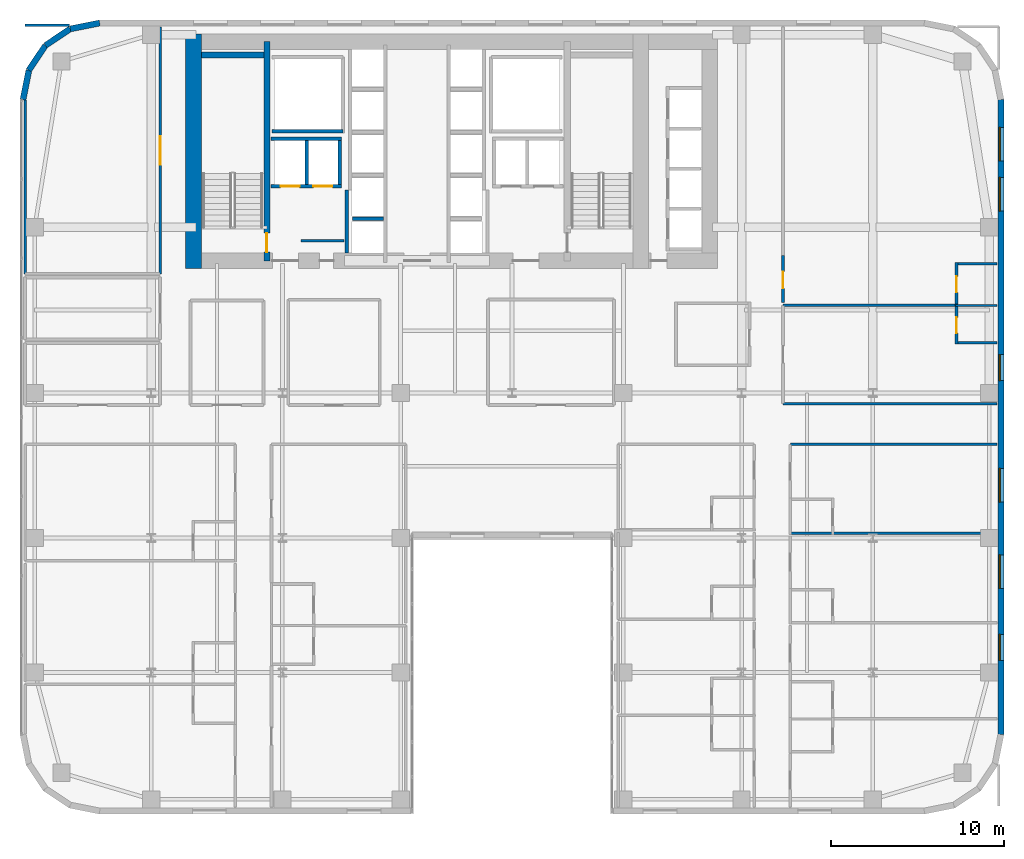
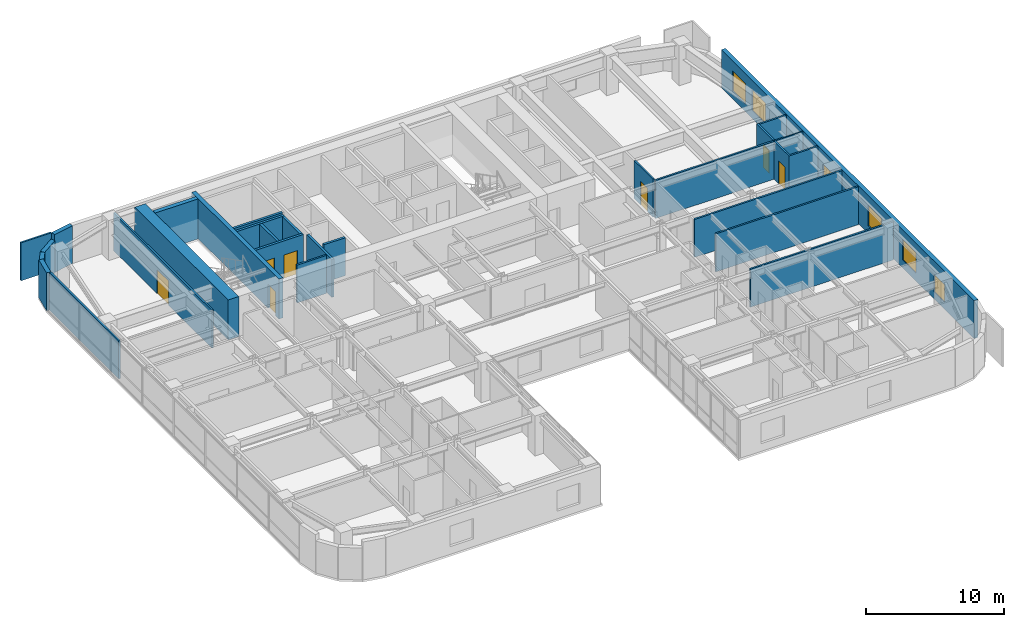
# One storey, part 27 of 30: 29 walls, 7 doors, 6 windows, 13 openings.
"""IFC4 building model written with IfcOpenShell, lengths in metres."""

from ifc_helpers import new_model, si_unit, direction, frame, frame_2d, origin, place, context, subcontext, project, spatial, rectangle, extrude, source, transform, mapped, material, layer, layer_set, type_object, type_shapes, element, fill, save


model = new_model("IFC4")

# Units and contexts
model_context = context("Model", 3, precision=1e-05, world=origin(), true_north=direction((0.0, 1.0)))
body_context = subcontext(model_context, "Body", "Model", "MODEL_VIEW")
ifc_project = project(units=[si_unit("LENGTHUNIT", "METRE"), si_unit("AREAUNIT", "SQUARE_METRE"), si_unit("VOLUMEUNIT", "CUBIC_METRE"), si_unit("PLANEANGLEUNIT", "RADIAN"), si_unit("MASSUNIT", "GRAM", prefix="KILO")], contexts=[model_context])

# Site, building, storey
site_placement = place(None, origin())
site = spatial("IfcSite", under=ifc_project, at=site_placement, CompositionType="ELEMENT")
building_placement = place(site_placement, origin())
building = spatial("IfcBuilding", under=site, at=building_placement, Name="Tolvann Quenvar Hotel", CompositionType="ELEMENT")
storey_placement = place(building_placement, frame((0.0, 0.0, 56.85009765625)))
storey = spatial("IfcBuildingStorey", under=building, at=storey_placement, Name="L13", CompositionType="ELEMENT", Elevation=56.85009765625)

# Wall
ifc_material_1 = material(Name="Concrete S80 (80 MPa)", Category="concrete")
ifc_layer_1 = layer(ifc_material_1, 0.89990234375)
ifc_layer_set_1 = layer_set([ifc_layer_1], Name="Concrete S80 (80 MPa)")
wall_type_1 = type_object("IfcWallType", Name="WALL_CORE_900", PredefinedType="SHEAR", material=ifc_layer_set_1)
wall_1_placement = place(storey_placement, frame((10.050048828125, 31.60009765625, 0.0), z_axis=(0.0, 0.0, 1.0), x_axis=(0.0, 1.0, 0.0)))
element("IfcWall", 1, at=wall_1_placement, inside=storey, type_object=wall_type_1, Name="Rear Core W Shear Wall (L13)", PredefinedType="SHEAR", context=body_context, shape_type="SweptSolid", body=[
    extrude(rectangle(XDim=13.599853515625, YDim=0.89990234375, at=frame_2d((6.7998046875, 0.0))), origin(), (0.0, 0.0, 1.0), 3.5498046875),
])

# Wall, opening, door
ifc_material_2 = material(Name="Concrete S65 (65 MPa)", Category="concrete")
ifc_layer_2 = layer(ifc_material_2, 0.35009765625)
ifc_layer_set_2 = layer_set([ifc_layer_2], Name="Concrete S65 (65 MPa)")
wall_type_2 = type_object("IfcWallType", Name="WALL_CORE_INT_350", PredefinedType="SHEAR", material=ifc_layer_set_2)
wall_2_placement = place(storey_placement, frame((14.300048828125, 32.050048828125, 0.0), z_axis=(0.0, 0.0, 1.0), x_axis=(0.0, 1.0, 0.0)))
wall_2 = element("IfcWall", 2, at=wall_2_placement, inside=storey, type_object=wall_type_2, Name="Core Internal Web Shear Wall WEB-W (L13)", PredefinedType="SHEAR", context=body_context, shape_type="SweptSolid", body=[
    extrude(rectangle(XDim=12.699951171875, YDim=0.35009765625, at=frame_2d((6.35009765625, 0.0))), origin(), (0.0, 0.0, 1.0), 3.5498046875),
])
opening_1_placement = place(wall_2_placement, frame((0.5, 0.0, 0.0)))
opening_1 = element("IfcOpeningElement", 3, at=opening_1_placement, cuts=wall_2, Name="Opening FD-120", PredefinedType="OPENING", context=body_context, shape_type="SweptSolid", body=[
    extrude(rectangle(XDim=1.10009765625, YDim=2.1201171875, at=frame_2d((0.550048828125, 1.06005859375))), frame((0.0, 0.18505859375, 0.0), z_axis=(0.0, -1.0, 0.0), x_axis=(1.0, 0.0, 0.0)), (0.0, 0.0, 1.0), 0.3701171875),
])
ifc_material_3 = material(Name="Pressed galvanised steel fire-rated door set", Category="steel")
door_type_1 = type_object("IfcDoorType", Name="DOOR_FIRE_STAIR_1100", OperationType="NOTDEFINED", PredefinedType="DOOR", material=ifc_material_3)
shared_shape_1 = source(origin(), body_context, "Body", "SweptSolid", [
    extrude(rectangle(XDim=1.10009765625, YDim=2.1201171875, at=frame_2d((0.550048828125, 1.06005859375))), frame((0.0, 0.02490234375, 0.0), z_axis=(0.0, -1.0, 0.0), x_axis=(1.0, 0.0, 0.0)), (0.0, 0.0, 1.0), 0.050048828125),
])
type_shapes(door_type_1, [shared_shape_1])
door_1_placement = place(opening_1_placement, origin())
door_1 = element("IfcDoor", 4, at=door_1_placement, inside=storey, type_object=door_type_1, Name="Exit Stair ST-C1 Fire Door (L13)", OperationType="SINGLE_SWING_LEFT", OverallHeight=2.1201171875, OverallWidth=1.10009765625, PredefinedType="DOOR", context=body_context, shape_type="MappedRepresentation", body=[
    mapped(shared_shape_1, transform((0.0, 0.0, 0.0), x_axis=(1.0, 0.0, 0.0), y_axis=(0.0, 1.0, 0.0), z_axis=(0.0, 0.0, 1.0), scale=1.0)),
])
fill(opening_1, door_1)

# Wall
wall_3_placement = place(storey_placement, frame((10.52001953125, 43.97509765625, 0.0), z_axis=(0.0, 0.0, 1.0), x_axis=(1.0, 0.0, 0.0)))
element("IfcWall", 5, at=wall_3_placement, inside=storey, type_object=wall_type_2, Name="Core Stair North Closing Shear Wall STC1-N (L13)", PredefinedType="SHEAR", context=body_context, shape_type="SweptSolid", body=[
    extrude(rectangle(XDim=3.60009765625, YDim=0.35009765625, at=frame_2d((1.800048828125, 0.0))), origin(), (0.0, 0.0, 1.0), 3.5498046875),
])

# Wall, openings, windows
ifc_material_4 = material(Name="Kiln-fired red and buff architectural clay brickwork and terracotta masonry", Category="masonry")
ifc_layer_3 = layer(ifc_material_4, 0.35009765625)
ifc_layer_set_3 = layer_set([ifc_layer_3], Name="Kiln-fired red and buff architectural clay brickwork and terracotta masonry")
wall_type_3 = type_object("IfcWallType", Name="WALL_EXT_BRICK_350", PredefinedType="SOLIDWALL", material=ifc_layer_set_3)
wall_4_placement = place(storey_placement, frame((56.824951171875, 4.6171875, 0.0), z_axis=(0.0, 0.0, 1.0), x_axis=(0.0, 1.0, 0.0)))
wall_4 = element("IfcWall", 6, at=wall_4_placement, inside=storey, type_object=wall_type_3, Name="Exterior Chicago Brick Wall L13-E13", PredefinedType="SOLIDWALL", context=body_context, shape_type="SweptSolid", body=[
    extrude(rectangle(XDim=36.765625, YDim=0.35009765625, at=frame_2d((18.3828125, 0.0))), origin(), (0.0, 0.0, 1.0), 3.369873046875),
])
opening_2_placement = place(wall_4_placement, frame((8.4541015625, 0.0, 0.679931640625)))
opening_2 = element("IfcOpeningElement", 7, at=opening_2_placement, cuts=wall_4, Name="Opening W-10", PredefinedType="OPENING", context=body_context, shape_type="SweptSolid", body=[
    extrude(rectangle(XDim=1.949951171875, YDim=1.820068359375, at=frame_2d((0.97509765625, 0.91015625))), frame((0.0, 0.18505859375, 0.0), z_axis=(0.0, -1.0, 0.0), x_axis=(1.0, 0.0, 0.0)), (0.0, 0.0, 1.0), 0.3701171875),
])
opening_3_placement = place(wall_4_placement, frame((13.4560546875, 0.0, 0.679931640625)))
opening_3 = element("IfcOpeningElement", 8, at=opening_3_placement, cuts=wall_4, Name="Opening W-10", PredefinedType="OPENING", context=body_context, shape_type="SweptSolid", body=[
    extrude(rectangle(XDim=1.949951171875, YDim=1.820068359375, at=frame_2d((0.97509765625, 0.91015625))), frame((0.0, 0.18505859375, 0.0), z_axis=(0.0, -1.0, 0.0), x_axis=(1.0, 0.0, 0.0)), (0.0, 0.0, 1.0), 0.3701171875),
])
opening_4_placement = place(wall_4_placement, frame((30.31298828125, 0.0, 0.679931640625)))
opening_4 = element("IfcOpeningElement", 9, at=opening_4_placement, cuts=wall_4, Name="Opening W-10", PredefinedType="OPENING", context=body_context, shape_type="SweptSolid", body=[
    extrude(rectangle(XDim=1.949951171875, YDim=1.820068359375, at=frame_2d((0.97509765625, 0.91015625))), frame((0.0, 0.18505859375, 0.0), z_axis=(0.0, -1.0, 0.0), x_axis=(1.0, 0.0, 0.0)), (0.0, 0.0, 1.0), 0.3701171875),
])
opening_5_placement = place(wall_4_placement, frame((33.215087890625, 0.0, 0.679931640625)))
opening_5 = element("IfcOpeningElement", 10, at=opening_5_placement, cuts=wall_4, Name="Opening W-10", PredefinedType="OPENING", context=body_context, shape_type="SweptSolid", body=[
    extrude(rectangle(XDim=1.949951171875, YDim=1.820068359375, at=frame_2d((0.97509765625, 0.91015625))), frame((0.0, 0.18505859375, 0.0), z_axis=(0.0, -1.0, 0.0), x_axis=(1.0, 0.0, 0.0)), (0.0, 0.0, 1.0), 0.3701171875),
])
opening_6_placement = place(wall_4_placement, frame((4.29296875, 0.0, 0.6201171875)))
opening_6 = element("IfcOpeningElement", 11, at=opening_6_placement, cuts=wall_4, Name="Opening W-08", PredefinedType="OPENING", context=body_context, shape_type="SweptSolid", body=[
    extrude(rectangle(XDim=1.5, YDim=1.550048828125, at=frame_2d((0.75, 0.77490234375))), frame((0.0, 0.18505859375, 0.0), z_axis=(0.0, -1.0, 0.0), x_axis=(1.0, 0.0, 0.0)), (0.0, 0.0, 1.0), 0.3701171875),
])
opening_7_placement = place(wall_4_placement, frame((20.492919921875, 0.0, 0.6201171875)))
opening_7 = element("IfcOpeningElement", 12, at=opening_7_placement, cuts=wall_4, Name="Opening W-08", PredefinedType="OPENING", context=body_context, shape_type="SweptSolid", body=[
    extrude(rectangle(XDim=1.5, YDim=1.550048828125, at=frame_2d((0.75, 0.77490234375))), frame((0.0, 0.18505859375, 0.0), z_axis=(0.0, -1.0, 0.0), x_axis=(1.0, 0.0, 0.0)), (0.0, 0.0, 1.0), 0.3701171875),
])
ifc_material_5 = material(Name="Thermally broken bronze-anodised aluminium frame with double low-E glazing", Category="aluminium")
window_type_1 = type_object("IfcWindowType", Name="WIN_COR_1500x2050", PartitioningType="SINGLE_PANEL", PredefinedType="WINDOW", material=ifc_material_5)
shared_shape_2 = source(origin(), body_context, "Body", "SweptSolid", [
    extrude(rectangle(XDim=1.5, YDim=1.550048828125, at=frame_2d((0.75, 0.77490234375))), frame((0.0, 0.090087890625, 0.0), z_axis=(0.0, -1.0, 0.0), x_axis=(1.0, 0.0, 0.0)), (0.0, 0.0, 1.0), 0.06005859375),
])
type_shapes(window_type_1, [shared_shape_2])
window_1_placement = place(opening_6_placement, origin())
window_1 = element("IfcWindow", 13, at=window_1_placement, inside=storey, type_object=window_type_1, Name="Chicago Window W-08 (EW-L13-E13-WD05)", OverallHeight=1.550048828125, OverallWidth=1.5, PartitioningType="SINGLE_PANEL", PredefinedType="WINDOW", context=body_context, shape_type="MappedRepresentation", body=[
    mapped(shared_shape_2, transform((0.0, 0.0, 0.0), x_axis=(1.0, 0.0, 0.0), y_axis=(0.0, 1.0, 0.0), z_axis=(0.0, 0.0, 1.0), scale=1.0)),
])
fill(opening_6, window_1)
window_2_placement = place(opening_7_placement, origin())
window_2 = element("IfcWindow", 14, at=window_2_placement, inside=storey, type_object=window_type_1, Name="Chicago Window W-08 (EW-L13-E13-WD06)", OverallHeight=1.550048828125, OverallWidth=1.5, PartitioningType="SINGLE_PANEL", PredefinedType="WINDOW", context=body_context, shape_type="MappedRepresentation", body=[
    mapped(shared_shape_2, transform((0.0, 0.0, 0.0), x_axis=(1.0, 0.0, 0.0), y_axis=(0.0, 1.0, 0.0), z_axis=(0.0, 0.0, 1.0), scale=1.0)),
])
fill(opening_7, window_2)
window_type_2 = type_object("IfcWindowType", Name="WIN_CLB_1950x1850", PartitioningType="DOUBLE_PANEL_VERTICAL", PredefinedType="WINDOW", material=ifc_material_5)
shared_shape_3 = source(origin(), body_context, "Body", "SweptSolid", [
    extrude(rectangle(XDim=1.949951171875, YDim=1.820068359375, at=frame_2d((0.97509765625, 0.91015625))), frame((0.0, 0.090087890625, 0.0), z_axis=(0.0, -1.0, 0.0), x_axis=(1.0, 0.0, 0.0)), (0.0, 0.0, 1.0), 0.06005859375),
])
type_shapes(window_type_2, [shared_shape_3])
window_3_placement = place(opening_2_placement, origin())
window_3 = element("IfcWindow", 15, at=window_3_placement, inside=storey, type_object=window_type_2, Name="Chicago Window W-10 (EW-L13-E13-W01)", OverallHeight=1.820068359375, OverallWidth=1.949951171875, PartitioningType="DOUBLE_PANEL_VERTICAL", PredefinedType="WINDOW", context=body_context, shape_type="MappedRepresentation", body=[
    mapped(shared_shape_3, transform((0.0, 0.0, 0.0), x_axis=(1.0, 0.0, 0.0), y_axis=(0.0, 1.0, 0.0), z_axis=(0.0, 0.0, 1.0), scale=1.0)),
])
fill(opening_2, window_3)
window_4_placement = place(opening_3_placement, origin())
window_4 = element("IfcWindow", 16, at=window_4_placement, inside=storey, type_object=window_type_2, Name="Chicago Window W-10 (EW-L13-E13-W02)", OverallHeight=1.820068359375, OverallWidth=1.949951171875, PartitioningType="DOUBLE_PANEL_VERTICAL", PredefinedType="WINDOW", context=body_context, shape_type="MappedRepresentation", body=[
    mapped(shared_shape_3, transform((0.0, 0.0, 0.0), x_axis=(1.0, 0.0, 0.0), y_axis=(0.0, 1.0, 0.0), z_axis=(0.0, 0.0, 1.0), scale=1.0)),
])
fill(opening_3, window_4)
window_5_placement = place(opening_4_placement, origin())
window_5 = element("IfcWindow", 17, at=window_5_placement, inside=storey, type_object=window_type_2, Name="Chicago Window W-10 (EW-L13-E13-W03)", OverallHeight=1.820068359375, OverallWidth=1.949951171875, PartitioningType="DOUBLE_PANEL_VERTICAL", PredefinedType="WINDOW", context=body_context, shape_type="MappedRepresentation", body=[
    mapped(shared_shape_3, transform((0.0, 0.0, 0.0), x_axis=(1.0, 0.0, 0.0), y_axis=(0.0, 1.0, 0.0), z_axis=(0.0, 0.0, 1.0), scale=1.0)),
])
fill(opening_4, window_5)
window_6_placement = place(opening_5_placement, origin())
window_6 = element("IfcWindow", 18, at=window_6_placement, inside=storey, type_object=window_type_2, Name="Chicago Window W-10 (EW-L13-E13-W04)", OverallHeight=1.820068359375, OverallWidth=1.949951171875, PartitioningType="DOUBLE_PANEL_VERTICAL", PredefinedType="WINDOW", context=body_context, shape_type="MappedRepresentation", body=[
    mapped(shared_shape_3, transform((0.0, 0.0, 0.0), x_axis=(1.0, 0.0, 0.0), y_axis=(0.0, 1.0, 0.0), z_axis=(0.0, 0.0, 1.0), scale=1.0)),
])
fill(opening_5, window_6)

# Walls
wall_5_placement = place(storey_placement, frame((4.6171875, 45.824951171875, 0.0), z_axis=(0.0, 0.0, 1.0), x_axis=(-0.980800971659, -0.195011420161, 0.0)))
element("IfcWall", 19, at=wall_5_placement, inside=storey, type_object=wall_type_3, Name="Exterior Chicago Brick Wall L13-E19", PredefinedType="SOLIDWALL", context=body_context, shape_type="SweptSolid", body=[
    extrude(rectangle(XDim=1.74267578125, YDim=0.35009765625, at=frame_2d((0.871337890625, 0.0))), origin(), (0.0, 0.0, 1.0), 3.369873046875),
])
for number, where, z_axis, x_axis, name in (
    (20, (2.907958984375, 45.485107421875, 0.0), (0.0, 0.0, 1.0), (-0.831483840845, -0.55554893791, 0.0), "Exterior Chicago Brick Wall L13-E20"),
    (21, (1.473388671875, 44.526611328125, 0.0), (0.0, 0.0, 1.0), (-0.55554893791, -0.831483840845, 0.0), "Exterior Chicago Brick Wall L13-E21"),
):
    element("IfcWall", number, at=place(storey_placement, frame(where, z_axis=z_axis, x_axis=x_axis)), inside=storey, type_object=wall_type_3, Name=name, PredefinedType="SOLIDWALL", context=body_context, shape_type="SweptSolid", body=[
        extrude(rectangle(XDim=1.725341796875, YDim=0.35009765625, at=frame_2d((0.86279296875, 0.0))), origin(), (0.0, 0.0, 1.0), 2.831787109375),
    ])
wall_6_placement = place(storey_placement, frame((0.514892578125, 43.092041015625, 0.0), z_axis=(0.0, 0.0, 1.0), x_axis=(-0.195011420161, -0.980800971659, 0.0)))
element("IfcWall", 22, at=wall_6_placement, inside=storey, type_object=wall_type_3, Name="Exterior Chicago Brick Wall L13-E22", PredefinedType="SOLIDWALL", context=body_context, shape_type="SweptSolid", body=[
    extrude(rectangle(XDim=1.74267578125, YDim=0.35009765625, at=frame_2d((0.871337890625, 0.0))), origin(), (0.0, 0.0, 1.0), 3.369873046875),
])
ifc_material_6 = material(Name="Moisture-resistant acoustic plumbing wall assembly")
ifc_layer_4 = layer(ifc_material_6, 0.1201171875)
ifc_layer_set_4 = layer_set([ifc_layer_4], Name="Moisture-resistant acoustic plumbing wall assembly")
wall_type_4 = type_object("IfcWallType", Name="WALL_PART_BATH_120", PredefinedType="PLUMBINGWALL", material=ifc_layer_set_4)
wall_7_placement = place(storey_placement, frame((54.179931640625, 29.469970703125, 0.0), z_axis=(0.0, 0.0, 1.0), x_axis=(1.0, 0.0, 0.0)))
element("IfcWall", 23, at=wall_7_placement, inside=storey, type_object=wall_type_4, Name="Non-Rated Plumbing Partition PT-SPC-L13-ENS-NE01-N", PredefinedType="PLUMBINGWALL", context=body_context, shape_type="SweptSolid", body=[
    extrude(rectangle(XDim=2.4150390625, YDim=0.1201171875, at=frame_2d((1.20751953125, 0.0))), origin(), (0.0, 0.0, 1.0), 3.369873046875),
])
ifc_material_7 = material(Name="Acoustic twin-stud fire-rated gypsum plasterboard partition")
ifc_layer_5 = layer(ifc_material_7, 0.14990234375)
ifc_layer_set_5 = layer_set([ifc_layer_5], Name="Acoustic twin-stud fire-rated gypsum plasterboard partition")
wall_type_5 = type_object("IfcWallType", Name="WALL_PART_SUITE_150", PredefinedType="PARTITIONING", material=ifc_layer_set_5)
wall_8_placement = place(storey_placement, frame((44.550048828125, 16.280029296875, 0.0), z_axis=(0.0, 0.0, 1.0), x_axis=(1.0, 0.0, 0.0)))
element("IfcWall", 24, at=wall_8_placement, inside=storey, type_object=wall_type_5, Name="Interior Partition PT-SPC-L13-ENS-EO04-S", PredefinedType="PARTITIONING", context=body_context, shape_type="SweptSolid", body=[
    extrude(rectangle(XDim=12.044921875, YDim=0.14990234375, at=frame_2d((6.0224609375, 0.0))), origin(), (0.0, 0.0, 1.0), 3.369873046875),
])

# Wall, opening, door
wall_9_placement = place(storey_placement, frame((54.25, 27.238037109375, 0.0), z_axis=(0.0, 0.0, 1.0), x_axis=(0.0, 1.0, 0.0)))
wall_9 = element("IfcWall", 25, at=wall_9_placement, inside=storey, type_object=wall_type_5, Name="Interior Partition PT-SPC-L13-ENS-NE01-ENT", PredefinedType="PARTITIONING", context=body_context, shape_type="SweptSolid", body=[
    extrude(rectangle(XDim=2.302001953125, YDim=0.14990234375, at=frame_2d((1.15087890625, 0.0))), origin(), (0.0, 0.0, 1.0), 3.369873046875),
])
opening_8_placement = place(wall_9_placement, frame((0.62109375, 0.0, 0.0)))
opening_8 = element("IfcOpeningElement", 26, at=opening_8_placement, cuts=wall_9, Name="Opening WD-01", PredefinedType="OPENING", context=body_context, shape_type="SweptSolid", body=[
    extrude(rectangle(XDim=0.919921875, YDim=2.010009765625, at=frame_2d((0.4599609375, 1.0048828125))), frame((0.0, 0.0849609375, 0.0), z_axis=(0.0, -1.0, 0.0), x_axis=(1.0, 0.0, 0.0)), (0.0, 0.0, 1.0), 0.169921875),
])
ifc_material_8 = material(Name="Solid-core American oak acoustic fire door leaf in steel frame", Category="steel")
door_type_2 = type_object("IfcDoorType", Name="DOOR_WC_920", OperationType="NOTDEFINED", PredefinedType="DOOR", material=ifc_material_8)
shared_shape_4 = source(origin(), body_context, "Body", "SweptSolid", [
    extrude(rectangle(XDim=0.919921875, YDim=2.010009765625, at=frame_2d((0.4599609375, 1.0048828125))), frame((0.0, 0.02490234375, 0.0), z_axis=(0.0, -1.0, 0.0), x_axis=(1.0, 0.0, 0.0)), (0.0, 0.0, 1.0), 0.050048828125),
])
type_shapes(door_type_2, [shared_shape_4])
door_2_placement = place(opening_8_placement, origin())
door_2 = element("IfcDoor", 27, at=door_2_placement, inside=storey, type_object=door_type_2, Name="Interior Door DOOR-SPC-L13-ENS-NE01", OperationType="SINGLE_SWING_LEFT", OverallHeight=2.010009765625, OverallWidth=0.919921875, PredefinedType="DOOR", context=body_context, shape_type="MappedRepresentation", body=[
    mapped(shared_shape_4, transform((0.0, 0.0, 0.0), x_axis=(1.0, 0.0, 0.0), y_axis=(0.0, 1.0, 0.0), z_axis=(0.0, 0.0, 1.0), scale=1.0)),
])
fill(opening_8, door_2)

# Wall
wall_10_placement = place(storey_placement, frame((54.179931640625, 27.30810546875, 0.0), z_axis=(0.0, 0.0, 1.0), x_axis=(1.0, 0.0, 0.0)))
element("IfcWall", 28, at=wall_10_placement, inside=storey, type_object=wall_type_5, Name="Interior Partition PT-SPC-L13-ENS-NE01-S", PredefinedType="PARTITIONING", context=body_context, shape_type="SweptSolid", body=[
    extrude(rectangle(XDim=2.4150390625, YDim=0.14990234375, at=frame_2d((1.20751953125, 0.0))), origin(), (0.0, 0.0, 1.0), 3.369873046875),
])

# Wall, opening, door
wall_11_placement = place(storey_placement, frame((54.25, 29.56005859375, 0.0), z_axis=(0.0, 0.0, 1.0), x_axis=(0.0, 1.0, 0.0)))
wall_11 = element("IfcWall", 29, at=wall_11_placement, inside=storey, type_object=wall_type_5, Name="Interior Partition PT-SPC-L13-ENS-NE02-ENT", PredefinedType="PARTITIONING", context=body_context, shape_type="SweptSolid", body=[
    extrude(rectangle(XDim=2.389892578125, YDim=0.14990234375, at=frame_2d((1.19482421875, 0.0))), origin(), (0.0, 0.0, 1.0), 3.369873046875),
])
opening_9_placement = place(wall_11_placement, frame((0.6650390625, 0.0, 0.0)))
opening_9 = element("IfcOpeningElement", 30, at=opening_9_placement, cuts=wall_11, Name="Opening WD-01", PredefinedType="OPENING", context=body_context, shape_type="SweptSolid", body=[
    extrude(rectangle(XDim=0.919921875, YDim=2.010009765625, at=frame_2d((0.4599609375, 1.0048828125))), frame((0.0, 0.0849609375, 0.0), z_axis=(0.0, -1.0, 0.0), x_axis=(1.0, 0.0, 0.0)), (0.0, 0.0, 1.0), 0.169921875),
])
door_3_placement = place(opening_9_placement, origin())
door_3 = element("IfcDoor", 31, at=door_3_placement, inside=storey, type_object=door_type_2, Name="Interior Door DOOR-SPC-L13-ENS-NE02", OperationType="SINGLE_SWING_RIGHT", OverallHeight=2.010009765625, OverallWidth=0.919921875, PredefinedType="DOOR", context=body_context, shape_type="MappedRepresentation", body=[
    mapped(shared_shape_4, transform((0.0, 0.0, 0.0), x_axis=(1.0, 0.0, 0.0), y_axis=(0.0, 1.0, 0.0), z_axis=(0.0, 0.0, 1.0), scale=1.0)),
])
fill(opening_9, door_3)

# Walls
wall_12_placement = place(storey_placement, frame((54.179931640625, 31.8798828125, 0.0), z_axis=(0.0, 0.0, 1.0), x_axis=(1.0, 0.0, 0.0)))
element("IfcWall", 32, at=wall_12_placement, inside=storey, type_object=wall_type_5, Name="Interior Partition PT-SPC-L13-ENS-NE02-N", PredefinedType="PARTITIONING", context=body_context, shape_type="SweptSolid", body=[
    extrude(rectangle(XDim=2.4150390625, YDim=0.14990234375, at=frame_2d((1.20751953125, 0.0))), origin(), (0.0, 0.0, 1.0), 3.369873046875),
])
wall_13_placement = place(storey_placement, frame((16.280029296875, 33.219970703125, 0.0), z_axis=(0.0, 0.0, 1.0), x_axis=(1.0, 0.0, 0.0)))
element("IfcWall", 33, at=wall_13_placement, inside=storey, type_object=wall_type_5, Name="Interior Partition PT-SPC-L13-CSW-1-N", PredefinedType="PARTITIONING", context=body_context, shape_type="SweptSolid", body=[
    extrude(rectangle(XDim=2.48486328125, YDim=0.14990234375, at=frame_2d((1.242431640625, 0.0))), origin(), (0.0, 0.0, 1.0), 3.369873046875),
])
wall_14_placement = place(storey_placement, frame((44.6201171875, 21.419921875, 0.0), z_axis=(0.0, 0.0, 1.0), x_axis=(1.0, 0.0, 0.0)))
element("IfcWall", 34, at=wall_14_placement, inside=storey, type_object=wall_type_5, Name="Interior Partition PT-SPC-L13-RM-EO04-E5", PredefinedType="PARTITIONING", context=body_context, shape_type="SweptSolid", body=[
    extrude(rectangle(XDim=11.974853515625, YDim=0.14990234375, at=frame_2d((5.9873046875, 0.0))), origin(), (0.0, 0.0, 1.0), 3.369873046875),
])
wall_15_placement = place(storey_placement, frame((0.300048828125, 45.699951171875, 0.0), z_axis=(0.0, 0.0, 1.0), x_axis=(1.0, 0.0, 0.0)))
element("IfcWall", 35, at=wall_15_placement, inside=storey, type_object=wall_type_5, Name="Interior Partition PT-SPC-L13-TEA-N", PredefinedType="PARTITIONING", context=body_context, shape_type="SweptSolid", body=[
    extrude(rectangle(XDim=2.56494140625, YDim=0.14990234375, at=frame_2d((1.282470703125, 0.0))), origin(), (0.0, 0.0, 1.0), 3.369873046875),
])
wall_16_placement = place(storey_placement, frame((0.300048828125, 31.300048828125, 0.0), z_axis=(0.0, 0.0, 1.0), x_axis=(0.0, 1.0, 0.0)))
element("IfcWall", 36, at=wall_16_placement, inside=storey, type_object=wall_type_5, Name="Interior Partition PT-SPC-L13-TEA-W", PredefinedType="PARTITIONING", context=body_context, shape_type="SweptSolid", body=[
    extrude(rectangle(XDim=10.057861328125, YDim=0.14990234375, at=frame_2d((5.02880859375, 0.0))), origin(), (0.0, 0.0, 1.0), 3.369873046875),
])

# Wall, opening, door
wall_17_placement = place(storey_placement, frame((8.1201171875, 31.300048828125, 0.0), z_axis=(0.0, 0.0, 1.0), x_axis=(0.0, 1.0, 0.0)))
wall_17 = element("IfcWall", 37, at=wall_17_placement, inside=storey, type_object=wall_type_5, Name="Interior Partition PT-SPC-L13-TEA-E", PredefinedType="PARTITIONING", context=body_context, shape_type="SweptSolid", body=[
    extrude(rectangle(XDim=14.294921875, YDim=0.14990234375, at=frame_2d((7.1474609375, 0.0))), origin(), (0.0, 0.0, 1.0), 3.369873046875),
])
opening_10_placement = place(wall_17_placement, frame((6.322509765625, 0.0, 0.0)))
opening_10 = element("IfcOpeningElement", 38, at=opening_10_placement, cuts=wall_17, Name="Opening AD-01", PredefinedType="OPENING", context=body_context, shape_type="SweptSolid", body=[
    extrude(rectangle(XDim=1.64990234375, YDim=2.14990234375, at=frame_2d((0.824951171875, 1.074951171875))), frame((0.0, 0.0849609375, 0.0), z_axis=(0.0, -1.0, 0.0), x_axis=(1.0, 0.0, 0.0)), (0.0, 0.0, 1.0), 0.169921875),
])
door_type_3 = type_object("IfcDoorType", Name="DOOR_SALON_1650", OperationType="NOTDEFINED", PredefinedType="DOOR", material=ifc_material_8)
shared_shape_5 = source(origin(), body_context, "Body", "SweptSolid", [
    extrude(rectangle(XDim=1.64990234375, YDim=2.14990234375, at=frame_2d((0.824951171875, 1.074951171875))), frame((0.0, 0.02490234375, 0.0), z_axis=(0.0, -1.0, 0.0), x_axis=(1.0, 0.0, 0.0)), (0.0, 0.0, 1.0), 0.050048828125),
])
type_shapes(door_type_3, [shared_shape_5])
door_4_placement = place(opening_10_placement, origin())
door_4 = element("IfcDoor", 39, at=door_4_placement, inside=storey, type_object=door_type_3, Name="Interior Door DOOR-SPC-L13-TEA", OperationType="DOUBLE_DOOR_SINGLE_SWING", OverallHeight=2.14990234375, OverallWidth=1.64990234375, PredefinedType="DOOR", context=body_context, shape_type="MappedRepresentation", body=[
    mapped(shared_shape_5, transform((0.0, 0.0, 0.0), x_axis=(1.0, 0.0, 0.0), y_axis=(0.0, 1.0, 0.0), z_axis=(0.0, 0.0, 1.0), scale=1.0)),
])
fill(opening_10, door_4)

# Walls
wall_18_placement = place(storey_placement, frame((44.199951171875, 23.780029296875, 0.0), z_axis=(0.0, 0.0, 1.0), x_axis=(1.0, 0.0, 0.0)))
element("IfcWall", 40, at=wall_18_placement, inside=storey, type_object=wall_type_5, Name="Interior Partition PT-SPC-L13-RM-NE01-E1", PredefinedType="PARTITIONING", context=body_context, shape_type="SweptSolid", body=[
    extrude(rectangle(XDim=12.39501953125, YDim=0.14990234375, at=frame_2d((6.197509765625, 0.0))), origin(), (0.0, 0.0, 1.0), 3.369873046875),
])
wall_19_placement = place(storey_placement, frame((44.199951171875, 29.469970703125, 0.0), z_axis=(0.0, 0.0, 1.0), x_axis=(1.0, 0.0, 0.0)))
element("IfcWall", 41, at=wall_19_placement, inside=storey, type_object=wall_type_5, Name="Interior Partition PT-SPC-L13-RM-NE01-E5", PredefinedType="PARTITIONING", context=body_context, shape_type="SweptSolid", body=[
    extrude(rectangle(XDim=10.030029296875, YDim=0.14990234375, at=frame_2d((5.01513671875, 0.0))), origin(), (0.0, 0.0, 1.0), 3.369873046875),
])

# Wall, opening, door
wall_20_placement = place(storey_placement, frame((44.199951171875, 29.6298828125, 0.0), z_axis=(0.0, 0.0, 1.0), x_axis=(0.0, 1.0, 0.0)))
wall_20 = element("IfcWall", 42, at=wall_20_placement, inside=storey, type_object=wall_type_5, Name="Interior Partition PT-SPC-L13-RM-NE02-ENT", PredefinedType="PARTITIONING", context=body_context, shape_type="SweptSolid", body=[
    extrude(rectangle(XDim=2.730224609375, YDim=0.14990234375, at=frame_2d((1.365234375, 0.0))), origin(), (0.0, 0.0, 1.0), 3.369873046875),
])
opening_11_placement = place(wall_20_placement, frame((0.820068359375, 0.0, 0.0)))
opening_11 = element("IfcOpeningElement", 43, at=opening_11_placement, cuts=wall_20, Name="Opening SD-01", PredefinedType="OPENING", context=body_context, shape_type="SweptSolid", body=[
    extrude(rectangle(XDim=0.97998046875, YDim=2.1201171875, at=frame_2d((0.489990234375, 1.06005859375))), frame((0.0, 0.0849609375, 0.0), z_axis=(0.0, -1.0, 0.0), x_axis=(1.0, 0.0, 0.0)), (0.0, 0.0, 1.0), 0.169921875),
])
door_type_4 = type_object("IfcDoorType", Name="DOOR_SUITE_980", OperationType="NOTDEFINED", PredefinedType="DOOR", material=ifc_material_8)
shared_shape_6 = source(origin(), body_context, "Body", "SweptSolid", [
    extrude(rectangle(XDim=0.97998046875, YDim=2.1201171875, at=frame_2d((0.489990234375, 1.06005859375))), frame((0.0, 0.02490234375, 0.0), z_axis=(0.0, -1.0, 0.0), x_axis=(1.0, 0.0, 0.0)), (0.0, 0.0, 1.0), 0.050048828125),
])
type_shapes(door_type_4, [shared_shape_6])
door_5_placement = place(opening_11_placement, origin())
door_5 = element("IfcDoor", 44, at=door_5_placement, inside=storey, type_object=door_type_4, Name="Interior Door DOOR-SPC-L13-RM-NE02", OperationType="SINGLE_SWING_LEFT", OverallHeight=2.1201171875, OverallWidth=0.97998046875, PredefinedType="DOOR", context=body_context, shape_type="MappedRepresentation", body=[
    mapped(shared_shape_6, transform((0.0, 0.0, 0.0), x_axis=(1.0, 0.0, 0.0), y_axis=(0.0, 1.0, 0.0), z_axis=(0.0, 0.0, 1.0), scale=1.0)),
])
fill(opening_11, door_5)

# Walls
ifc_material_9 = material(Name="Concrete N40 (40 MPa)", Category="concrete")
ifc_layer_6 = layer(ifc_material_9, 0.199951171875)
ifc_layer_set_6 = layer_set([ifc_layer_6], Name="Concrete N40 (40 MPa)")
wall_type_6 = type_object("IfcWallType", Name="WALL_SHAFT_200", PredefinedType="SOLIDWALL", material=ifc_layer_set_6)
wall_21_placement = place(storey_placement, frame((14.60009765625, 39.550048828125, 0.0), z_axis=(0.0, 0.0, 1.0), x_axis=(1.0, 0.0, 0.0)))
element("IfcWall", 45, at=wall_21_placement, inside=storey, type_object=wall_type_6, Name="Service Riser W Shaft Wall S (L13)", PredefinedType="SOLIDWALL", context=body_context, shape_type="SweptSolid", body=[
    extrude(rectangle(XDim=4.099853515625, YDim=0.199951171875, at=frame_2d((2.0498046875, 0.0))), origin(), (0.0, 0.0, 1.0), 3.369873046875),
])
wall_22_placement = place(storey_placement, frame((18.919921875, 32.50390625, 0.0), z_axis=(0.0, 0.0, 1.0), x_axis=(0.0, 1.0, 0.0)))
element("IfcWall", 46, at=wall_22_placement, inside=storey, type_object=wall_type_6, Name="Firefighting Lobby W Inner Fire Wall (L13)", PredefinedType="SOLIDWALL", context=body_context, shape_type="SweptSolid", body=[
    extrude(rectangle(XDim=3.64599609375, YDim=0.199951171875, at=frame_2d((1.822998046875, 0.0))), origin(), (0.0, 0.0, 1.0), 3.369873046875),
])
wall_23_placement = place(storey_placement, frame((19.27001953125, 34.5, 0.0), z_axis=(0.0, 0.0, 1.0), x_axis=(1.0, 0.0, 0.0)))
element("IfcWall", 47, at=wall_23_placement, inside=storey, type_object=wall_type_6, Name="Lift Bank E21.1C1 Divider Wall 1 (L13)", PredefinedType="SOLIDWALL", context=body_context, shape_type="SweptSolid", body=[
    extrude(rectangle(XDim=1.800048828125, YDim=0.199951171875, at=frame_2d((0.89990234375, 0.0))), origin(), (0.0, 0.0, 1.0), 3.369873046875),
])

# Wall, openings, doors
wall_24_placement = place(storey_placement, frame((14.550048828125, 36.3798828125, 0.0), z_axis=(0.0, 0.0, 1.0), x_axis=(1.0, 0.0, 0.0)))
wall_24 = element("IfcWall", 48, at=wall_24_placement, inside=storey, type_object=wall_type_6, Name="Lift Bank SWC1 Hoistway Front Wall (L13)", PredefinedType="SOLIDWALL", context=body_context, shape_type="SweptSolid", body=[
    extrude(rectangle(XDim=4.074951171875, YDim=0.199951171875, at=frame_2d((2.03759765625, 0.0))), origin(), (0.0, 0.0, 1.0), 3.369873046875),
])
opening_12_placement = place(wall_24_placement, frame((0.550048828125, 0.0, 0.0)))
opening_12 = element("IfcOpeningElement", 49, at=opening_12_placement, cuts=wall_24, Name="Opening LD-01", PredefinedType="OPENING", context=body_context, shape_type="SweptSolid", body=[
    extrude(rectangle(XDim=1.10009765625, YDim=2.1201171875, at=frame_2d((0.550048828125, 1.06005859375))), frame((0.0, 0.10986328125, 0.0), z_axis=(0.0, -1.0, 0.0), x_axis=(1.0, 0.0, 0.0)), (0.0, 0.0, 1.0), 0.219970703125),
])
opening_13_placement = place(wall_24_placement, frame((2.449951171875, 0.0, 0.0)))
opening_13 = element("IfcOpeningElement", 50, at=opening_13_placement, cuts=wall_24, Name="Opening LD-01", PredefinedType="OPENING", context=body_context, shape_type="SweptSolid", body=[
    extrude(rectangle(XDim=1.10009765625, YDim=2.1201171875, at=frame_2d((0.550048828125, 1.06005859375))), frame((0.0, 0.10986328125, 0.0), z_axis=(0.0, -1.0, 0.0), x_axis=(1.0, 0.0, 0.0)), (0.0, 0.0, 1.0), 0.219970703125),
])
ifc_material_10 = material(Name="Brushed 316 stainless steel automatic sliding lift landing door", Category="steel")
door_type_5 = type_object("IfcDoorType", Name="DOOR_LIFT_SLIDE_1100", OperationType="NOTDEFINED", PredefinedType="DOOR", material=ifc_material_10)
shared_shape_7 = source(origin(), body_context, "Body", "SweptSolid", [
    extrude(rectangle(XDim=1.10009765625, YDim=2.1201171875, at=frame_2d((0.550048828125, 1.06005859375))), frame((0.0, 0.02490234375, 0.0), z_axis=(0.0, -1.0, 0.0), x_axis=(1.0, 0.0, 0.0)), (0.0, 0.0, 1.0), 0.050048828125),
])
type_shapes(door_type_5, [shared_shape_7])
door_6_placement = place(opening_12_placement, origin())
door_6 = element("IfcDoor", 51, at=door_6_placement, inside=storey, type_object=door_type_5, Name="Lift FF-1 Sliding Landing Door (L13)", OperationType="SLIDING_TO_LEFT", OverallHeight=2.1201171875, OverallWidth=1.10009765625, PredefinedType="DOOR", context=body_context, shape_type="MappedRepresentation", body=[
    mapped(shared_shape_7, transform((0.0, 0.0, 0.0), x_axis=(1.0, 0.0, 0.0), y_axis=(0.0, 1.0, 0.0), z_axis=(0.0, 0.0, 1.0), scale=1.0)),
])
fill(opening_12, door_6)
door_7_placement = place(opening_13_placement, origin())
door_7 = element("IfcDoor", 52, at=door_7_placement, inside=storey, type_object=door_type_5, Name="Lift SV-1 Sliding Landing Door (L13)", OperationType="SLIDING_TO_RIGHT", OverallHeight=2.1201171875, OverallWidth=1.10009765625, PredefinedType="DOOR", context=body_context, shape_type="MappedRepresentation", body=[
    mapped(shared_shape_7, transform((0.0, 0.0, 0.0), x_axis=(1.0, 0.0, 0.0), y_axis=(0.0, 1.0, 0.0), z_axis=(0.0, 0.0, 1.0), scale=1.0)),
])
fill(opening_13, door_7)

# Walls
wall_25_placement = place(storey_placement, frame((14.550048828125, 39.1201171875, 0.0), z_axis=(0.0, 0.0, 1.0), x_axis=(1.0, 0.0, 0.0)))
element("IfcWall", 53, at=wall_25_placement, inside=storey, type_object=wall_type_6, Name="Lift Bank SWC1 Hoistway Rear Wall (L13)", PredefinedType="SOLIDWALL", context=body_context, shape_type="SweptSolid", body=[
    extrude(rectangle(XDim=4.074951171875, YDim=0.199951171875, at=frame_2d((2.03759765625, 0.0))), origin(), (0.0, 0.0, 1.0), 3.369873046875),
])
for number, where, z_axis, x_axis, name in (
    (54, (18.52490234375, 36.47998046875, 0.0), (0.0, 0.0, 1.0), (0.0, 1.0, 0.0), "Lift Bank SWC1 Hoistway Cheek Wall 2 (L13)"),
    (55, (16.612548828125, 36.47998046875, 0.0), (0.0, 0.0, 1.0), (0.0, 1.0, 0.0), "Lift Bank SWC1 Divider Wall 1 (L13)"),
):
    element("IfcWall", number, at=place(storey_placement, frame(where, z_axis=z_axis, x_axis=x_axis)), inside=storey, type_object=wall_type_6, Name=name, PredefinedType="SOLIDWALL", context=body_context, shape_type="SweptSolid", body=[
        extrude(rectangle(XDim=2.5400390625, YDim=0.199951171875, at=frame_2d((1.27001953125, 0.0))), origin(), (0.0, 0.0, 1.0), 3.369873046875),
    ])

save(model, "model.ifc")
